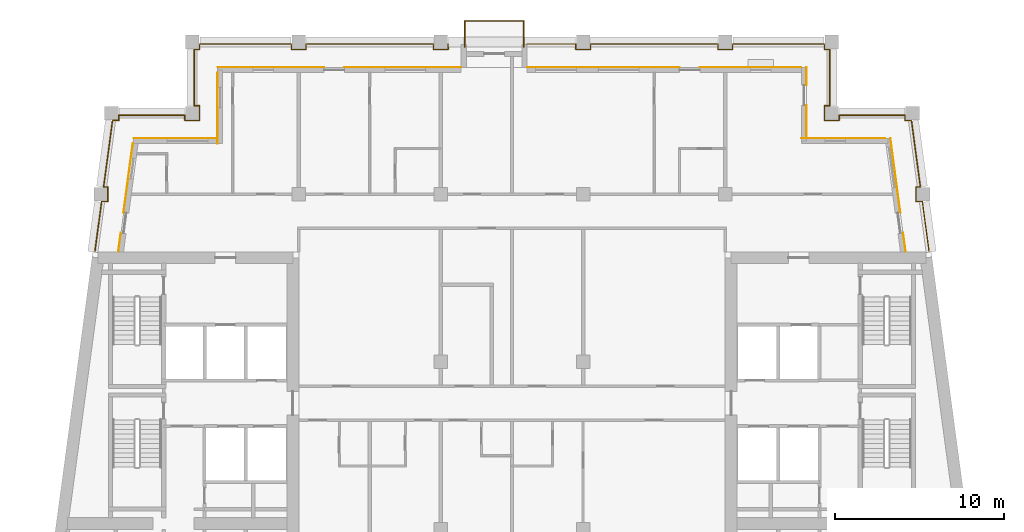
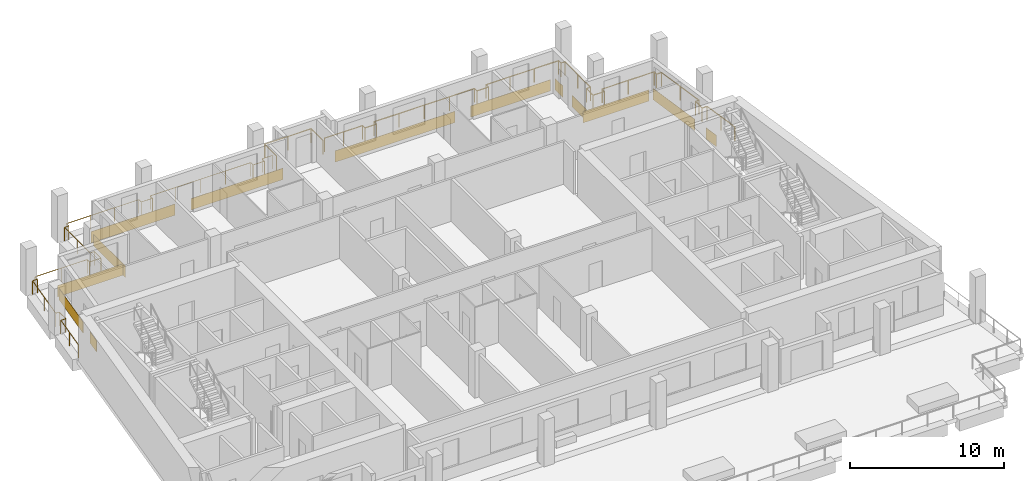
# One storey, part 11 of 12: 13 coverings, 4 railings.
"""IFC4 building model written with IfcOpenShell, lengths in metres."""

from ifc_helpers import new_model, si_unit, direction, frame, origin, origin_2d, place, context, subcontext, project, spatial, rectangle, circle, extrude, material, layer, layer_set, type_object, element, save


model = new_model("IFC4")

# Units and contexts
model_context = context("Model", 3, precision=1e-05, world=origin(), true_north=direction((0.0, 1.0)))
body_context = subcontext(model_context, "Body", "Model", "MODEL_VIEW")
ifc_project = project(units=[si_unit("LENGTHUNIT", "METRE"), si_unit("AREAUNIT", "SQUARE_METRE"), si_unit("VOLUMEUNIT", "CUBIC_METRE"), si_unit("PLANEANGLEUNIT", "RADIAN"), si_unit("MASSUNIT", "GRAM", prefix="KILO")], contexts=[model_context])

# Site, building, storey
site_placement = place(None, origin())
site = spatial("IfcSite", under=ifc_project, at=site_placement, CompositionType="ELEMENT")
building_placement = place(site_placement, origin())
building = spatial("IfcBuilding", under=site, at=building_placement, Name="Candeia Pilgrim Tower and Theatre", CompositionType="ELEMENT")
storey_placement = place(building_placement, frame((0.0, 0.0, 259.0)))
storey = spatial("IfcBuildingStorey", under=building, at=storey_placement, Name="L62", CompositionType="ELEMENT", Elevation=259.0)

# Railings
ifc_material_1 = material(Name="Stainless steel balustrade", Category="steel")
railing_type = type_object("IfcRailingType", Name="G1 loggia guard 1100", PredefinedType="GUARDRAIL", material=ifc_material_1)
railing_1_placement = place(storey_placement, frame((94.070068359375, 140.47998046875, 0.0)))
element("IfcRailing", 1, at=railing_1_placement, inside=storey, type_object=railing_type, Name="Guard L62.1", PredefinedType="GUARDRAIL", context=body_context, shape_type="SweptSolid", body=[
    extrude(circle(Radius=0.02392578125, at=origin_2d()), frame((0.0, 0.0, 1.076171875), z_axis=(0.0, -1.0, 0.0), x_axis=(1.0, 0.0, 0.0)), (0.0, 0.0, 1.0), 0.31005859375),
    extrude(circle(Radius=0.02392578125, at=origin_2d()), frame((0.0, -0.31005859375, 1.076171875), z_axis=(1.0, 0.0, 0.0), x_axis=(0.0, 1.0, 0.0)), (0.0, 0.0, 1.0), 0.85986328125),
    extrude(circle(Radius=0.02392578125, at=origin_2d()), frame((0.85986328125, -0.31005859375, 1.076171875), z_axis=(0.0, 1.0, 0.0), x_axis=(-1.0, 0.0, 0.0)), (0.0, 0.0, 1.0), 0.860107421875),
    extrude(circle(Radius=0.02392578125, at=origin_2d()), frame((0.85986328125, 0.550048828125, 1.076171875), z_axis=(-1.0, 0.0, 0.0), x_axis=(0.0, -1.0, 0.0)), (0.0, 0.0, 1.0), 0.309814453125),
    extrude(circle(Radius=0.02392578125, at=origin_2d()), frame((0.550048828125, 0.550048828125, 1.076171875), z_axis=(0.0, 1.0, 0.0), x_axis=(-1.0, 0.0, 0.0)), (0.0, 0.0, 1.0), 3.340087890625),
    extrude(circle(Radius=0.02392578125, at=origin_2d()), frame((0.550048828125, 3.89013671875, 1.076171875), z_axis=(1.0, 0.0, 0.0), x_axis=(0.0, 1.0, 0.0)), (0.0, 0.0, 1.0), 0.309814453125),
    extrude(circle(Radius=0.02392578125, at=origin_2d()), frame((0.85986328125, 3.89013671875, 1.076171875), z_axis=(0.0, 1.0, 0.0), x_axis=(-1.0, 0.0, 0.0)), (0.0, 0.0, 1.0), 0.309814453125),
    extrude(circle(Radius=0.02392578125, at=origin_2d()), frame((0.85986328125, 4.199951171875, 1.076171875), z_axis=(1.0, 0.0, 0.0), x_axis=(0.0, 1.0, 0.0)), (0.0, 0.0, 1.0), 5.440185546875),
    extrude(circle(Radius=0.02392578125, at=origin_2d()), frame((6.300048828125, 4.199951171875, 1.076171875), z_axis=(0.0, -1.0, 0.0), x_axis=(1.0, 0.0, 0.0)), (0.0, 0.0, 1.0), 0.309814453125),
    extrude(circle(Radius=0.02392578125, at=origin_2d()), frame((6.300048828125, 3.89013671875, 1.076171875), z_axis=(1.0, 0.0, 0.0), x_axis=(0.0, 1.0, 0.0)), (0.0, 0.0, 1.0), 0.85986328125),
    extrude(circle(Radius=0.02392578125, at=origin_2d()), frame((7.159912109375, 3.89013671875, 1.076171875), z_axis=(0.0, 1.0, 0.0), x_axis=(-1.0, 0.0, 0.0)), (0.0, 0.0, 1.0), 0.309814453125),
    extrude(circle(Radius=0.02392578125, at=origin_2d()), frame((7.159912109375, 4.199951171875, 1.076171875), z_axis=(1.0, 0.0, 0.0), x_axis=(0.0, 1.0, 0.0)), (0.0, 0.0, 1.0), 7.5400390625),
    extrude(circle(Radius=0.02392578125, at=origin_2d()), frame((14.699951171875, 4.199951171875, 1.076171875), z_axis=(0.0, -1.0, 0.0), x_axis=(1.0, 0.0, 0.0)), (0.0, 0.0, 1.0), 0.309814453125),
    extrude(circle(Radius=0.02392578125, at=origin_2d()), frame((14.699951171875, 3.89013671875, 1.076171875), z_axis=(1.0, 0.0, 0.0), x_axis=(0.0, 1.0, 0.0)), (0.0, 0.0, 1.0), 0.85986328125),
    extrude(circle(Radius=0.02392578125, at=origin_2d()), frame((15.559814453125, 3.89013671875, 1.076171875), z_axis=(0.0, 1.0, 0.0), x_axis=(-1.0, 0.0, 0.0)), (0.0, 0.0, 1.0), 0.309814453125),
    extrude(circle(Radius=0.02392578125, at=origin_2d()), frame((15.559814453125, 4.199951171875, 1.076171875), z_axis=(1.0, 0.0, 0.0), x_axis=(0.0, 1.0, 0.0)), (0.0, 0.0, 1.0), 0.77001953125),
    extrude(circle(Radius=0.02099609375, at=origin_2d()), origin(), (0.0, 0.0, 1.0), 1.052001953125),
    extrude(circle(Radius=0.02099609375, at=origin_2d()), frame((0.0, -0.31005859375, 0.0)), (0.0, 0.0, 1.0), 1.052001953125),
    extrude(circle(Radius=0.02099609375, at=origin_2d()), frame((0.85986328125, -0.31005859375, 0.0)), (0.0, 0.0, 1.0), 1.052001953125),
    extrude(circle(Radius=0.02099609375, at=origin_2d()), frame((0.85986328125, 0.550048828125, 0.0)), (0.0, 0.0, 1.0), 1.052001953125),
    extrude(circle(Radius=0.02099609375, at=origin_2d()), frame((0.550048828125, 0.550048828125, 0.0)), (0.0, 0.0, 1.0), 1.052001953125),
    extrude(circle(Radius=0.02099609375, at=origin_2d()), frame((0.550048828125, 2.22021484375, 0.0)), (0.0, 0.0, 1.0), 1.052001953125),
    extrude(circle(Radius=0.02099609375, at=origin_2d()), frame((0.550048828125, 3.89013671875, 0.0)), (0.0, 0.0, 1.0), 1.052001953125),
    extrude(circle(Radius=0.02099609375, at=origin_2d()), frame((0.85986328125, 3.89013671875, 0.0)), (0.0, 0.0, 1.0), 1.052001953125),
    extrude(circle(Radius=0.02099609375, at=origin_2d()), frame((0.85986328125, 4.199951171875, 0.0)), (0.0, 0.0, 1.0), 1.052001953125),
    extrude(circle(Radius=0.02099609375, at=origin_2d()), frame((2.67333984375, 4.199951171875, 0.0)), (0.0, 0.0, 1.0), 1.052001953125),
    extrude(circle(Radius=0.02099609375, at=origin_2d()), frame((4.486572265625, 4.199951171875, 0.0)), (0.0, 0.0, 1.0), 1.052001953125),
    extrude(circle(Radius=0.02099609375, at=origin_2d()), frame((6.300048828125, 4.199951171875, 0.0)), (0.0, 0.0, 1.0), 1.052001953125),
    extrude(circle(Radius=0.02099609375, at=origin_2d()), frame((6.300048828125, 3.89013671875, 0.0)), (0.0, 0.0, 1.0), 1.052001953125),
    extrude(circle(Radius=0.02099609375, at=origin_2d()), frame((7.159912109375, 3.89013671875, 0.0)), (0.0, 0.0, 1.0), 1.052001953125),
    extrude(circle(Radius=0.02099609375, at=origin_2d()), frame((7.159912109375, 4.199951171875, 0.0)), (0.0, 0.0, 1.0), 1.052001953125),
    extrude(circle(Radius=0.02099609375, at=origin_2d()), frame((9.044921875, 4.199951171875, 0.0)), (0.0, 0.0, 1.0), 1.052001953125),
    extrude(circle(Radius=0.02099609375, at=origin_2d()), frame((10.929931640625, 4.199951171875, 0.0)), (0.0, 0.0, 1.0), 1.052001953125),
    extrude(circle(Radius=0.02099609375, at=origin_2d()), frame((12.81494140625, 4.199951171875, 0.0)), (0.0, 0.0, 1.0), 1.052001953125),
    extrude(circle(Radius=0.02099609375, at=origin_2d()), frame((14.699951171875, 4.199951171875, 0.0)), (0.0, 0.0, 1.0), 1.052001953125),
    extrude(circle(Radius=0.02099609375, at=origin_2d()), frame((14.699951171875, 3.89013671875, 0.0)), (0.0, 0.0, 1.0), 1.052001953125),
    extrude(circle(Radius=0.02099609375, at=origin_2d()), frame((15.559814453125, 3.89013671875, 0.0)), (0.0, 0.0, 1.0), 1.052001953125),
    extrude(circle(Radius=0.02099609375, at=origin_2d()), frame((15.559814453125, 4.199951171875, 0.0)), (0.0, 0.0, 1.0), 1.052001953125),
    extrude(circle(Radius=0.02099609375, at=origin_2d()), frame((16.329833984375, 4.199951171875, 0.0)), (0.0, 0.0, 1.0), 1.052001953125),
])
railing_2_placement = place(storey_placement, frame((114.300048828125, 144.679931640625, 0.0)))
element("IfcRailing", 2, at=railing_2_placement, inside=storey, type_object=railing_type, Name="Guard L62.2", PredefinedType="GUARDRAIL", context=body_context, shape_type="SweptSolid", body=[
    extrude(circle(Radius=0.02392578125, at=origin_2d()), frame((0.0, 0.0, 1.076171875), z_axis=(1.0, 0.0, 0.0), x_axis=(0.0, 1.0, 0.0)), (0.0, 0.0, 1.0), 2.869873046875),
    extrude(circle(Radius=0.02392578125, at=origin_2d()), frame((2.869873046875, 0.0, 1.076171875), z_axis=(0.0, -1.0, 0.0), x_axis=(1.0, 0.0, 0.0)), (0.0, 0.0, 1.0), 0.309814453125),
    extrude(circle(Radius=0.02392578125, at=origin_2d()), frame((2.869873046875, -0.309814453125, 1.076171875), z_axis=(1.0, 0.0, 0.0), x_axis=(0.0, 1.0, 0.0)), (0.0, 0.0, 1.0), 0.860107421875),
    extrude(circle(Radius=0.02392578125, at=origin_2d()), frame((3.72998046875, -0.309814453125, 1.076171875), z_axis=(0.0, 1.0, 0.0), x_axis=(-1.0, 0.0, 0.0)), (0.0, 0.0, 1.0), 0.309814453125),
    extrude(circle(Radius=0.02392578125, at=origin_2d()), frame((3.72998046875, 0.0, 1.076171875), z_axis=(1.0, 0.0, 0.0), x_axis=(0.0, 1.0, 0.0)), (0.0, 0.0, 1.0), 7.5400390625),
    extrude(circle(Radius=0.02392578125, at=origin_2d()), frame((11.27001953125, 0.0, 1.076171875), z_axis=(0.0, -1.0, 0.0), x_axis=(1.0, 0.0, 0.0)), (0.0, 0.0, 1.0), 0.309814453125),
    extrude(circle(Radius=0.02392578125, at=origin_2d()), frame((11.27001953125, -0.309814453125, 1.076171875), z_axis=(1.0, 0.0, 0.0), x_axis=(0.0, 1.0, 0.0)), (0.0, 0.0, 1.0), 0.85986328125),
    extrude(circle(Radius=0.02392578125, at=origin_2d()), frame((12.1298828125, -0.309814453125, 1.076171875), z_axis=(0.0, 1.0, 0.0), x_axis=(-1.0, 0.0, 0.0)), (0.0, 0.0, 1.0), 0.309814453125),
    extrude(circle(Radius=0.02392578125, at=origin_2d()), frame((12.1298828125, 0.0, 1.076171875), z_axis=(1.0, 0.0, 0.0), x_axis=(0.0, 1.0, 0.0)), (0.0, 0.0, 1.0), 5.440185546875),
    extrude(circle(Radius=0.02392578125, at=origin_2d()), frame((17.570068359375, 0.0, 1.076171875), z_axis=(0.0, -1.0, 0.0), x_axis=(1.0, 0.0, 0.0)), (0.0, 0.0, 1.0), 0.309814453125),
    extrude(circle(Radius=0.02392578125, at=origin_2d()), frame((17.570068359375, -0.309814453125, 1.076171875), z_axis=(1.0, 0.0, 0.0), x_axis=(0.0, 1.0, 0.0)), (0.0, 0.0, 1.0), 0.309814453125),
    extrude(circle(Radius=0.02392578125, at=origin_2d()), frame((17.8798828125, -0.309814453125, 1.076171875), z_axis=(0.0, -1.0, 0.0), x_axis=(1.0, 0.0, 0.0)), (0.0, 0.0, 1.0), 3.340087890625),
    extrude(circle(Radius=0.02392578125, at=origin_2d()), frame((17.8798828125, -3.64990234375, 1.076171875), z_axis=(-1.0, 0.0, 0.0), x_axis=(0.0, -1.0, 0.0)), (0.0, 0.0, 1.0), 0.309814453125),
    extrude(circle(Radius=0.02392578125, at=origin_2d()), frame((17.570068359375, -3.64990234375, 1.076171875), z_axis=(0.0, -1.0, 0.0), x_axis=(1.0, 0.0, 0.0)), (0.0, 0.0, 1.0), 0.860107421875),
    extrude(circle(Radius=0.02392578125, at=origin_2d()), frame((17.570068359375, -4.510009765625, 1.076171875), z_axis=(1.0, 0.0, 0.0), x_axis=(0.0, 1.0, 0.0)), (0.0, 0.0, 1.0), 0.85986328125),
    extrude(circle(Radius=0.02392578125, at=origin_2d()), frame((18.429931640625, -4.510009765625, 1.076171875), z_axis=(0.0, 1.0, 0.0), x_axis=(-1.0, 0.0, 0.0)), (0.0, 0.0, 1.0), 0.31005859375),
    extrude(circle(Radius=0.02392578125, at=origin_2d()), frame((18.429931640625, -4.199951171875, 1.076171875), z_axis=(1.0, 0.0, 0.0), x_axis=(0.0, 1.0, 0.0)), (0.0, 0.0, 1.0), 3.905517578125),
    extrude(circle(Radius=0.02392578125, at=origin_2d()), frame((22.33544921875, -4.199951171875, 1.076171875), z_axis=(0.0, -1.0, 0.0), x_axis=(1.0, 0.0, 0.0)), (0.0, 0.0, 1.0), 0.31005859375),
    extrude(circle(Radius=0.02392578125, at=origin_2d()), frame((22.33544921875, -4.510009765625, 1.076171875), z_axis=(1.0, 0.0, 0.0), x_axis=(0.0, 1.0, 0.0)), (0.0, 0.0, 1.0), 0.36669921875),
    extrude(circle(Radius=0.02392578125, at=origin_2d()), frame((22.7021484375, -4.510009765625, 1.076171875), z_axis=(0.133386492616, -0.991064096609, 0.0), x_axis=(0.991064096609, 0.133386492616, 0.0)), (0.0, 0.0, 1.0), 3.9755859375),
    extrude(circle(Radius=0.02392578125, at=origin_2d()), frame((23.232421875, -8.449951171875, 1.076171875), z_axis=(-1.0, 0.0, 0.0), x_axis=(0.0, -1.0, 0.0)), (0.0, 0.0, 1.0), 0.2509765625),
    extrude(circle(Radius=0.02392578125, at=origin_2d()), frame((22.9814453125, -8.449951171875, 1.076171875), z_axis=(0.0, -1.0, 0.0), x_axis=(1.0, 0.0, 0.0)), (0.0, 0.0, 1.0), 0.85986328125),
    extrude(circle(Radius=0.02392578125, at=origin_2d()), frame((22.9814453125, -9.309814453125, 1.076171875), z_axis=(1.0, 0.0, 0.0), x_axis=(0.0, 1.0, 0.0)), (0.0, 0.0, 1.0), 0.366943359375),
    extrude(circle(Radius=0.02392578125, at=origin_2d()), frame((23.348388671875, -9.309814453125, 1.076171875), z_axis=(0.133401056725, -0.991062136329, 0.0), x_axis=(0.991062136329, 0.133401056725, 0.0)), (0.0, 0.0, 1.0), 2.946533203125),
    extrude(circle(Radius=0.02099609375, at=origin_2d()), origin(), (0.0, 0.0, 1.0), 1.052001953125),
    extrude(circle(Radius=0.02099609375, at=origin_2d()), frame((1.43505859375, 0.0, 0.0)), (0.0, 0.0, 1.0), 1.052001953125),
    extrude(circle(Radius=0.02099609375, at=origin_2d()), frame((2.869873046875, 0.0, 0.0)), (0.0, 0.0, 1.0), 1.052001953125),
    extrude(circle(Radius=0.02099609375, at=origin_2d()), frame((2.869873046875, -0.309814453125, 0.0)), (0.0, 0.0, 1.0), 1.052001953125),
    extrude(circle(Radius=0.02099609375, at=origin_2d()), frame((3.72998046875, -0.309814453125, 0.0)), (0.0, 0.0, 1.0), 1.052001953125),
    extrude(circle(Radius=0.02099609375, at=origin_2d()), frame((3.72998046875, 0.0, 0.0)), (0.0, 0.0, 1.0), 1.052001953125),
    extrude(circle(Radius=0.02099609375, at=origin_2d()), frame((5.614990234375, 0.0, 0.0)), (0.0, 0.0, 1.0), 1.052001953125),
    extrude(circle(Radius=0.02099609375, at=origin_2d()), frame((7.5, 0.0, 0.0)), (0.0, 0.0, 1.0), 1.052001953125),
    extrude(circle(Radius=0.02099609375, at=origin_2d()), frame((9.385009765625, 0.0, 0.0)), (0.0, 0.0, 1.0), 1.052001953125),
    extrude(circle(Radius=0.02099609375, at=origin_2d()), frame((11.27001953125, 0.0, 0.0)), (0.0, 0.0, 1.0), 1.052001953125),
    extrude(circle(Radius=0.02099609375, at=origin_2d()), frame((11.27001953125, -0.309814453125, 0.0)), (0.0, 0.0, 1.0), 1.052001953125),
    extrude(circle(Radius=0.02099609375, at=origin_2d()), frame((12.1298828125, -0.309814453125, 0.0)), (0.0, 0.0, 1.0), 1.052001953125),
    extrude(circle(Radius=0.02099609375, at=origin_2d()), frame((12.1298828125, 0.0, 0.0)), (0.0, 0.0, 1.0), 1.052001953125),
    extrude(circle(Radius=0.02099609375, at=origin_2d()), frame((13.943359375, 0.0, 0.0)), (0.0, 0.0, 1.0), 1.052001953125),
    extrude(circle(Radius=0.02099609375, at=origin_2d()), frame((15.756591796875, 0.0, 0.0)), (0.0, 0.0, 1.0), 1.052001953125),
    extrude(circle(Radius=0.02099609375, at=origin_2d()), frame((17.570068359375, 0.0, 0.0)), (0.0, 0.0, 1.0), 1.052001953125),
    extrude(circle(Radius=0.02099609375, at=origin_2d()), frame((17.570068359375, -0.309814453125, 0.0)), (0.0, 0.0, 1.0), 1.052001953125),
    extrude(circle(Radius=0.02099609375, at=origin_2d()), frame((17.8798828125, -0.309814453125, 0.0)), (0.0, 0.0, 1.0), 1.052001953125),
    extrude(circle(Radius=0.02099609375, at=origin_2d()), frame((17.8798828125, -1.97998046875, 0.0)), (0.0, 0.0, 1.0), 1.052001953125),
    extrude(circle(Radius=0.02099609375, at=origin_2d()), frame((17.8798828125, -3.64990234375, 0.0)), (0.0, 0.0, 1.0), 1.052001953125),
    extrude(circle(Radius=0.02099609375, at=origin_2d()), frame((17.570068359375, -3.64990234375, 0.0)), (0.0, 0.0, 1.0), 1.052001953125),
    extrude(circle(Radius=0.02099609375, at=origin_2d()), frame((17.570068359375, -4.510009765625, 0.0)), (0.0, 0.0, 1.0), 1.052001953125),
    extrude(circle(Radius=0.02099609375, at=origin_2d()), frame((18.429931640625, -4.510009765625, 0.0)), (0.0, 0.0, 1.0), 1.052001953125),
    extrude(circle(Radius=0.02099609375, at=origin_2d()), frame((18.429931640625, -4.199951171875, 0.0)), (0.0, 0.0, 1.0), 1.052001953125),
    extrude(circle(Radius=0.02099609375, at=origin_2d()), frame((20.3828125, -4.199951171875, 0.0)), (0.0, 0.0, 1.0), 1.052001953125),
    extrude(circle(Radius=0.02099609375, at=origin_2d()), frame((22.33544921875, -4.199951171875, 0.0)), (0.0, 0.0, 1.0), 1.052001953125),
    extrude(circle(Radius=0.02099609375, at=origin_2d()), frame((22.33544921875, -4.510009765625, 0.0)), (0.0, 0.0, 1.0), 1.052001953125),
    extrude(circle(Radius=0.02099609375, at=origin_2d()), frame((22.7021484375, -4.510009765625, 0.0)), (0.0, 0.0, 1.0), 1.052001953125),
    extrude(circle(Radius=0.02099609375, at=origin_2d()), frame((22.96728515625, -6.47998046875, 0.0)), (0.0, 0.0, 1.0), 1.052001953125),
    extrude(circle(Radius=0.02099609375, at=origin_2d()), frame((23.232421875, -8.449951171875, 0.0)), (0.0, 0.0, 1.0), 1.052001953125),
    extrude(circle(Radius=0.02099609375, at=origin_2d()), frame((22.9814453125, -8.449951171875, 0.0)), (0.0, 0.0, 1.0), 1.052001953125),
    extrude(circle(Radius=0.02099609375, at=origin_2d()), frame((22.9814453125, -9.309814453125, 0.0)), (0.0, 0.0, 1.0), 1.052001953125),
    extrude(circle(Radius=0.02099609375, at=origin_2d()), frame((23.348388671875, -9.309814453125, 0.0)), (0.0, 0.0, 1.0), 1.052001953125),
    extrude(circle(Radius=0.02099609375, at=origin_2d()), frame((23.544921875, -10.77001953125, 0.0)), (0.0, 0.0, 1.0), 1.052001953125),
    extrude(circle(Radius=0.02099609375, at=origin_2d()), frame((23.741455078125, -12.22998046875, 0.0)), (0.0, 0.0, 1.0), 1.052001953125),
])
railing_3_placement = place(storey_placement, frame((88.758544921875, 132.449951171875, 0.0)))
element("IfcRailing", 3, at=railing_3_placement, inside=storey, type_object=railing_type, Name="Guard L62.11", PredefinedType="GUARDRAIL", context=body_context, shape_type="SweptSolid", body=[
    extrude(circle(Radius=0.02392578125, at=origin_2d()), frame((0.0, 0.0, 1.076171875), z_axis=(0.133401056725, 0.991062136329, 0.0), x_axis=(-0.991062136329, 0.133401056725, 0.0)), (0.0, 0.0, 1.0), 2.946533203125),
    extrude(circle(Radius=0.02392578125, at=origin_2d()), frame((0.39306640625, 2.920166015625, 1.076171875), z_axis=(1.0, 0.0, 0.0), x_axis=(0.0, 1.0, 0.0)), (0.0, 0.0, 1.0), 0.366943359375),
    extrude(circle(Radius=0.02392578125, at=origin_2d()), frame((0.760009765625, 2.920166015625, 1.076171875), z_axis=(0.0, 1.0, 0.0), x_axis=(-1.0, 0.0, 0.0)), (0.0, 0.0, 1.0), 0.85986328125),
    extrude(circle(Radius=0.02392578125, at=origin_2d()), frame((0.760009765625, 3.780029296875, 1.076171875), z_axis=(-1.0, 0.0, 0.0), x_axis=(0.0, -1.0, 0.0)), (0.0, 0.0, 1.0), 0.251220703125),
    extrude(circle(Radius=0.02392578125, at=origin_2d()), frame((0.5087890625, 3.780029296875, 1.076171875), z_axis=(0.133446811067, 0.99105597653, 0.0), x_axis=(-0.99105597653, 0.133446811067, 0.0)), (0.0, 0.0, 1.0), 3.9755859375),
    extrude(circle(Radius=0.02392578125, at=origin_2d()), frame((1.039306640625, 7.719970703125, 1.076171875), z_axis=(1.0, 0.0, 0.0), x_axis=(0.0, 1.0, 0.0)), (0.0, 0.0, 1.0), 0.36669921875),
    extrude(circle(Radius=0.02392578125, at=origin_2d()), frame((1.406005859375, 7.719970703125, 1.076171875), z_axis=(0.0, 1.0, 0.0), x_axis=(-1.0, 0.0, 0.0)), (0.0, 0.0, 1.0), 0.31005859375),
    extrude(circle(Radius=0.02392578125, at=origin_2d()), frame((1.406005859375, 8.030029296875, 1.076171875), z_axis=(1.0, 0.0, 0.0), x_axis=(0.0, 1.0, 0.0)), (0.0, 0.0, 1.0), 3.905517578125),
    extrude(circle(Radius=0.02099609375, at=origin_2d()), origin(), (0.0, 0.0, 1.0), 1.052001953125),
    extrude(circle(Radius=0.02099609375, at=origin_2d()), frame((0.196533203125, 1.4599609375, 0.0)), (0.0, 0.0, 1.0), 1.052001953125),
    extrude(circle(Radius=0.02099609375, at=origin_2d()), frame((0.39306640625, 2.920166015625, 0.0)), (0.0, 0.0, 1.0), 1.052001953125),
    extrude(circle(Radius=0.02099609375, at=origin_2d()), frame((0.760009765625, 2.920166015625, 0.0)), (0.0, 0.0, 1.0), 1.052001953125),
    extrude(circle(Radius=0.02099609375, at=origin_2d()), frame((0.760009765625, 3.780029296875, 0.0)), (0.0, 0.0, 1.0), 1.052001953125),
    extrude(circle(Radius=0.02099609375, at=origin_2d()), frame((0.5087890625, 3.780029296875, 0.0)), (0.0, 0.0, 1.0), 1.052001953125),
    extrude(circle(Radius=0.02099609375, at=origin_2d()), frame((0.77392578125, 5.75, 0.0)), (0.0, 0.0, 1.0), 1.052001953125),
    extrude(circle(Radius=0.02099609375, at=origin_2d()), frame((1.039306640625, 7.719970703125, 0.0)), (0.0, 0.0, 1.0), 1.052001953125),
    extrude(circle(Radius=0.02099609375, at=origin_2d()), frame((1.406005859375, 7.719970703125, 0.0)), (0.0, 0.0, 1.0), 1.052001953125),
    extrude(circle(Radius=0.02099609375, at=origin_2d()), frame((1.406005859375, 8.030029296875, 0.0)), (0.0, 0.0, 1.0), 1.052001953125),
    extrude(circle(Radius=0.02099609375, at=origin_2d()), frame((3.35888671875, 8.030029296875, 0.0)), (0.0, 0.0, 1.0), 1.052001953125),
    extrude(circle(Radius=0.02099609375, at=origin_2d()), frame((5.3115234375, 8.030029296875, 0.0)), (0.0, 0.0, 1.0), 1.052001953125),
])
railing_4_placement = place(storey_placement, frame((110.610107421875, 144.5, 0.0)))
element("IfcRailing", 4, at=railing_4_placement, inside=storey, type_object=railing_type, Name="Balcony guard L62", PredefinedType="GUARDRAIL", context=body_context, shape_type="SweptSolid", body=[
    extrude(circle(Radius=0.02392578125, at=origin_2d()), frame((0.0, 0.0, 1.076171875), z_axis=(0.0, 1.0, 0.0), x_axis=(-1.0, 0.0, 0.0)), (0.0, 0.0, 1.0), 1.5400390625),
    extrude(circle(Radius=0.02392578125, at=origin_2d()), frame((0.0, 1.5400390625, 1.076171875), z_axis=(1.0, 0.0, 0.0), x_axis=(0.0, 1.0, 0.0)), (0.0, 0.0, 1.0), 3.47998046875),
    extrude(circle(Radius=0.02392578125, at=origin_2d()), frame((3.47998046875, 1.5400390625, 1.076171875), z_axis=(0.0, -1.0, 0.0), x_axis=(1.0, 0.0, 0.0)), (0.0, 0.0, 1.0), 1.5400390625),
    extrude(circle(Radius=0.02099609375, at=origin_2d()), origin(), (0.0, 0.0, 1.0), 1.052001953125),
    extrude(circle(Radius=0.02099609375, at=origin_2d()), frame((0.0, 1.5400390625, 0.0)), (0.0, 0.0, 1.0), 1.052001953125),
    extrude(circle(Radius=0.02099609375, at=origin_2d()), frame((1.739990234375, 1.5400390625, 0.0)), (0.0, 0.0, 1.0), 1.052001953125),
    extrude(circle(Radius=0.02099609375, at=origin_2d()), frame((3.47998046875, 1.5400390625, 0.0)), (0.0, 0.0, 1.0), 1.052001953125),
    extrude(circle(Radius=0.02099609375, at=origin_2d()), frame((3.47998046875, 0.0, 0.0)), (0.0, 0.0, 1.0), 1.052001953125),
])

# Coverings
ifc_material_2 = material(Name="Glazed ceramic tile bottle green")
ifc_layer = layer(ifc_material_2, 0.02001953125)
ifc_layer_set = layer_set([ifc_layer], Name="Glazed ceramic tile bottle green")
covering_type = type_object("IfcCoveringType", Name="Glazed ceramic tile bottle green", PredefinedType="CLADDING", material=ifc_layer_set)
covering_1_placement = place(storey_placement, frame((90.720947265625, 136.759521484375, 0.0), z_axis=(0.0, 0.0, 1.0), x_axis=(-0.133412012145, -0.991060661622, 0.0)))
element("IfcCovering", 5, at=covering_1_placement, inside=storey, type_object=covering_type, Name="Tile cladding bottle green L62", PredefinedType="CLADDING", context=body_context, shape_type="SweptSolid", body=[
    extrude(rectangle(XDim=4.123779296875, YDim=0.02001953125, at=origin_2d()), origin(), (0.0, 0.0, 1.0), 0.89990234375),
])
for number, where, z_axis, x_axis, name in (
    (6, (90.21142578125, 132.97412109375, 0.0), (0.0, 0.0, 1.0), (-0.133412012145, -0.991060661622, 0.0), "Tile cladding bottle green L62"),
    (7, (136.588623046875, 132.97412109375, 0.0), (0.0, 0.0, 1.0), (-0.133412012145, 0.991060661622, 0.0), "Tile cladding bottle green L62"),
):
    element("IfcCovering", number, at=place(storey_placement, frame(where, z_axis=z_axis, x_axis=x_axis)), inside=storey, type_object=covering_type, Name=name, PredefinedType="CLADDING", context=body_context, shape_type="SweptSolid", body=[
        extrude(rectangle(XDim=1.115234375, YDim=0.02001953125, at=origin_2d()), origin(), (0.0, 0.0, 1.0), 0.89990234375),
    ])
covering_2_placement = place(storey_placement, frame((136.058837890625, 136.90869140625, 0.0), z_axis=(0.0, 0.0, 1.0), x_axis=(-0.133412012145, 0.991060661622, 0.0)))
element("IfcCovering", 8, at=covering_2_placement, inside=storey, type_object=covering_type, Name="Tile cladding bottle green L62", PredefinedType="CLADDING", context=body_context, shape_type="SweptSolid", body=[
    extrude(rectangle(XDim=4.4248046875, YDim=0.02001953125, at=origin_2d()), origin(), (0.0, 0.0, 1.0), 0.89990234375),
])
covering_3_placement = place(storey_placement, frame((132.976318359375, 139.110107421875, 0.0), z_axis=(0.0, 0.0, 1.0), x_axis=(-1.0, 0.0, 0.0)))
element("IfcCovering", 9, at=covering_3_placement, inside=storey, type_object=covering_type, Name="Tile cladding bottle green L62", PredefinedType="CLADDING", context=body_context, shape_type="SweptSolid", body=[
    extrude(rectangle(XDim=4.95263671875, YDim=0.02001953125, at=origin_2d()), origin(), (0.0, 0.0, 1.0), 0.89990234375),
])
covering_4_placement = place(storey_placement, frame((130.81005859375, 140.0849609375, 0.0), z_axis=(0.0, 0.0, 1.0), x_axis=(0.0, 1.0, 0.0)))
element("IfcCovering", 10, at=covering_4_placement, inside=storey, type_object=covering_type, Name="Tile cladding bottle green L62", PredefinedType="CLADDING", context=body_context, shape_type="SweptSolid", body=[
    extrude(rectangle(XDim=1.929931640625, YDim=0.02001953125, at=origin_2d()), origin(), (0.0, 0.0, 1.0), 0.89990234375),
])
covering_5_placement = place(storey_placement, frame((130.81005859375, 142.77490234375, 0.0), z_axis=(0.0, 0.0, 1.0), x_axis=(0.0, 1.0, 0.0)))
element("IfcCovering", 11, at=covering_5_placement, inside=storey, type_object=covering_type, Name="Tile cladding bottle green L62", PredefinedType="CLADDING", context=body_context, shape_type="SweptSolid", body=[
    extrude(rectangle(XDim=1.050048828125, YDim=0.02001953125, at=origin_2d()), origin(), (0.0, 0.0, 1.0), 0.89990234375),
])
covering_6_placement = place(storey_placement, frame((127.489990234375, 143.31005859375, 0.0), z_axis=(0.0, 0.0, 1.0), x_axis=(-1.0, 0.0, 0.0)))
element("IfcCovering", 12, at=covering_6_placement, inside=storey, type_object=covering_type, Name="Tile cladding bottle green L62", PredefinedType="CLADDING", context=body_context, shape_type="SweptSolid", body=[
    extrude(rectangle(XDim=5.97998046875, YDim=0.02001953125, at=origin_2d()), origin(), (0.0, 0.0, 1.0), 0.89990234375),
])
covering_7_placement = place(storey_placement, frame((118.800048828125, 143.31005859375, 0.0), z_axis=(0.0, 0.0, 1.0), x_axis=(-1.0, 0.0, 0.0)))
element("IfcCovering", 13, at=covering_7_placement, inside=storey, type_object=covering_type, Name="Tile cladding bottle green L62", PredefinedType="CLADDING", context=body_context, shape_type="SweptSolid", body=[
    extrude(rectangle(XDim=9.0, YDim=0.02001953125, at=origin_2d()), origin(), (0.0, 0.0, 1.0), 0.89990234375),
])
covering_8_placement = place(storey_placement, frame((106.949951171875, 143.31005859375, 0.0), z_axis=(0.0, 0.0, 1.0), x_axis=(-1.0, 0.0, 0.0)))
element("IfcCovering", 14, at=covering_8_placement, inside=storey, type_object=covering_type, Name="Tile cladding bottle green L62", PredefinedType="CLADDING", context=body_context, shape_type="SweptSolid", body=[
    extrude(rectangle(XDim=6.89990234375, YDim=0.02001953125, at=origin_2d()), origin(), (0.0, 0.0, 1.0), 0.89990234375),
])
covering_9_placement = place(storey_placement, frame((99.14990234375, 143.31005859375, 0.0), z_axis=(0.0, 0.0, 1.0), x_axis=(-1.0, 0.0, 0.0)))
element("IfcCovering", 15, at=covering_9_placement, inside=storey, type_object=covering_type, Name="Tile cladding bottle green L62", PredefinedType="CLADDING", context=body_context, shape_type="SweptSolid", body=[
    extrude(rectangle(XDim=6.300048828125, YDim=0.02001953125, at=origin_2d()), origin(), (0.0, 0.0, 1.0), 0.89990234375),
])
covering_10_placement = place(storey_placement, frame((95.989990234375, 140.889892578125, 0.0), z_axis=(0.0, 0.0, 1.0), x_axis=(0.0, -1.0, 0.0)))
element("IfcCovering", 16, at=covering_10_placement, inside=storey, type_object=covering_type, Name="Tile cladding bottle green L62", PredefinedType="CLADDING", context=body_context, shape_type="SweptSolid", body=[
    extrude(rectangle(XDim=4.179931640625, YDim=0.02001953125, at=origin_2d()), origin(), (0.0, 0.0, 1.0), 0.89990234375),
])
covering_11_placement = place(storey_placement, frame((93.51318359375, 139.110107421875, 0.0), z_axis=(0.0, 0.0, 1.0), x_axis=(-1.0, 0.0, 0.0)))
element("IfcCovering", 17, at=covering_11_placement, inside=storey, type_object=covering_type, Name="Tile cladding bottle green L62", PredefinedType="CLADDING", context=body_context, shape_type="SweptSolid", body=[
    extrude(rectangle(XDim=4.933837890625, YDim=0.02001953125, at=origin_2d()), origin(), (0.0, 0.0, 1.0), 0.89990234375),
])

save(model, "model.ifc")
